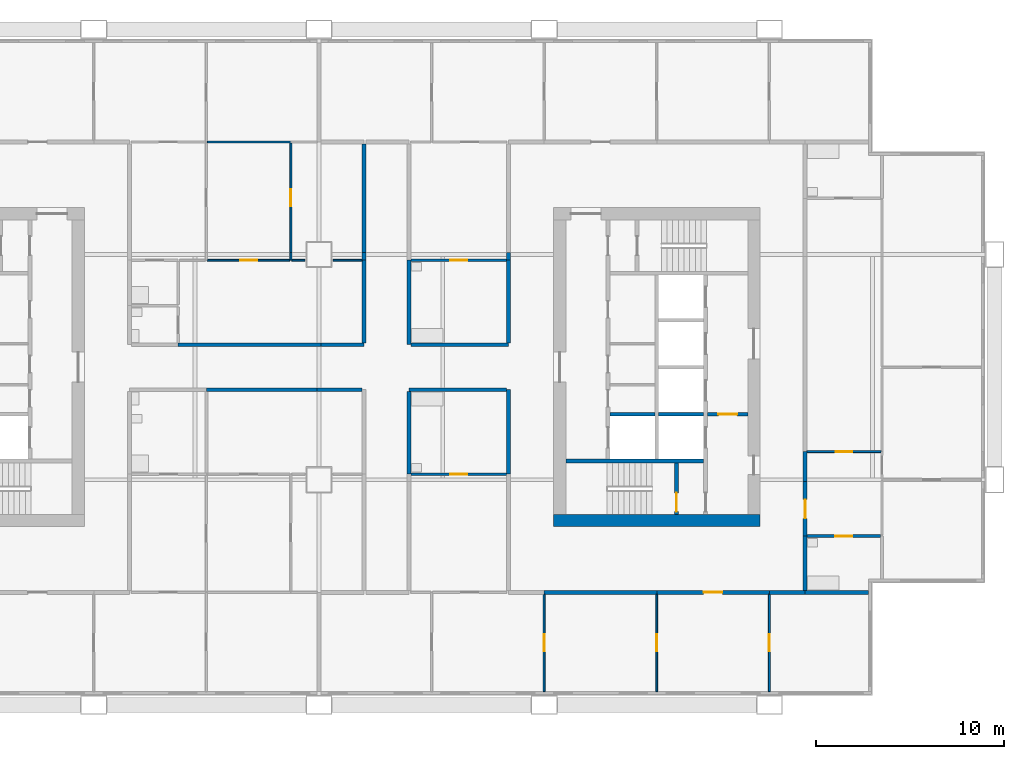
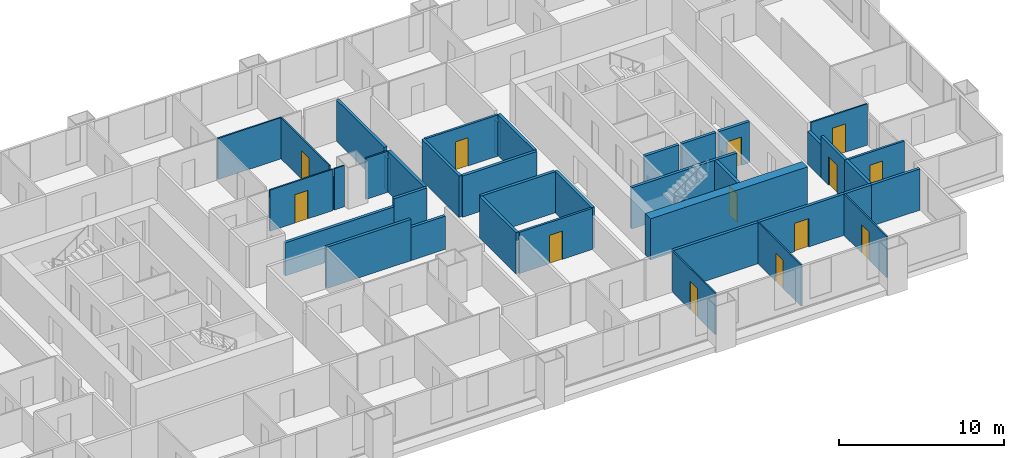
# One storey, part 6 of 12: 40 walls, 13 doors, 13 openings.
"""IFC4 building model written with IfcOpenShell, lengths in metres."""

from ifc_helpers import new_model, si_unit, direction, frame, frame_2d, origin, place, context, subcontext, project, spatial, rectangle, extrude, material, layer, layer_set, type_object, element, fill, save


model = new_model("IFC4")

# Units and contexts
model_context = context("Model", 3, precision=1e-05, world=origin(), true_north=direction((0.0, 1.0)))
body_context = subcontext(model_context, "Body", "Model", "MODEL_VIEW")
ifc_project = project(units=[si_unit("LENGTHUNIT", "METRE"), si_unit("AREAUNIT", "SQUARE_METRE"), si_unit("VOLUMEUNIT", "CUBIC_METRE"), si_unit("PLANEANGLEUNIT", "RADIAN"), si_unit("MASSUNIT", "GRAM", prefix="KILO")], contexts=[model_context])

# Site, building, storey
site_placement = place(None, origin())
site = spatial("IfcSite", under=ifc_project, at=site_placement, CompositionType="ELEMENT")
building_placement = place(site_placement, origin())
building = spatial("IfcBuilding", under=site, at=building_placement, Name="Kitamizu Gate Tower and Museum", CompositionType="ELEMENT")
storey_placement = place(building_placement, frame((0.0, 0.0, 134.550048828125)))
storey = spatial("IfcBuildingStorey", under=building, at=storey_placement, Name="L35", CompositionType="ELEMENT", Elevation=134.550048828125)

# Wall
ifc_material_1 = material(Name="Concrete Fc60", Category="concrete")
ifc_layer_1 = layer(ifc_material_1, 0.64990234375)
ifc_layer_set_1 = layer_set([ifc_layer_1], Name="Concrete Fc60")
wall_type_1 = type_object("IfcWallType", Name="Core wall 650", PredefinedType="SHEAR", material=ifc_layer_set_1)
wall_1_placement = place(storey_placement, frame((59.5, 21.824951171875, 0.0), z_axis=(0.0, 0.0, 1.0), x_axis=(-1.0, 0.0, 0.0)))
element("IfcWall", 1, at=wall_1_placement, inside=storey, type_object=wall_type_1, Name="Core wall ES", PredefinedType="SHEAR", context=body_context, shape_type="SweptSolid", body=[
    extrude(rectangle(XDim=11.0, YDim=0.64990234375, at=frame_2d((5.5, 0.0))), origin(), (0.0, 0.0, 1.0), 3.050048828125),
])

# Wall, opening, door
ifc_material_2 = material(Name="Gypsum board on galvanised stud")
ifc_layer_2 = layer(ifc_material_2, 0.10009765625)
ifc_layer_set_2 = layer_set([ifc_layer_2], Name="Gypsum board on galvanised stud")
wall_type_2 = type_object("IfcWallType", Name="Partition 100 NOT RATED", PredefinedType="PARTITIONING", material=ifc_layer_set_2)
wall_2_placement = place(storey_placement, frame((48.0, 12.719970703125, 0.0), z_axis=(0.0, 0.0, 1.0), x_axis=(0.0, 1.0, 0.0)))
wall_2 = element("IfcWall", 2, at=wall_2_placement, inside=storey, type_object=wall_type_2, Name="Partition L35-033", PredefinedType="PARTITIONING", context=body_context, shape_type="SweptSolid", body=[
    extrude(rectangle(XDim=5.179931640625, YDim=0.10009765625, at=frame_2d((2.58984375, 0.0))), origin(), (0.0, 0.0, 1.0), 3.050048828125),
])
opening_1_placement = place(wall_2_placement, frame((2.139892578125, 0.0, 0.0)))
opening_1 = element("IfcOpeningElement", 3, at=opening_1_placement, cuts=wall_2, Name="Opening L35-014", PredefinedType="OPENING", context=body_context, shape_type="SweptSolid", body=[
    extrude(rectangle(XDim=0.89990234375, YDim=2.10009765625, at=frame_2d((0.449951171875, 1.050048828125))), frame((0.0, 0.06005859375, 0.0), z_axis=(0.0, -1.0, 0.0), x_axis=(1.0, 0.0, 0.0)), (0.0, 0.0, 1.0), 0.1201171875),
])
ifc_material_3 = material(Name="Timber door set", Category="wood")
door_type_1 = type_object("IfcDoorType", Name="Room door 900", OperationType="NOTDEFINED", PredefinedType="DOOR", material=ifc_material_3)
door_1_placement = place(opening_1_placement, origin())
door_1 = element("IfcDoor", 4, at=door_1_placement, inside=storey, type_object=door_type_1, Name="Door L35-014", OperationType="SINGLE_SWING_LEFT", OverallHeight=2.10009765625, OverallWidth=0.89990234375, PredefinedType="DOOR", context=body_context, shape_type="SweptSolid", body=[
    extrude(rectangle(XDim=0.89990234375, YDim=2.10009765625, at=frame_2d((0.449951171875, 1.050048828125))), frame((0.0, 0.02490234375, 0.0), z_axis=(0.0, -1.0, 0.0), x_axis=(1.0, 0.0, 0.0)), (0.0, 0.0, 1.0), 0.050048828125),
])
fill(opening_1, door_1)

wall_3_placement = place(storey_placement, frame((54.0, 12.719970703125, 0.0), z_axis=(0.0, 0.0, 1.0), x_axis=(0.0, 1.0, 0.0)))
wall_3 = element("IfcWall", 5, at=wall_3_placement, inside=storey, type_object=wall_type_2, Name="Partition L35-036", PredefinedType="PARTITIONING", context=body_context, shape_type="SweptSolid", body=[
    extrude(rectangle(XDim=5.179931640625, YDim=0.10009765625, at=frame_2d((2.58984375, 0.0))), origin(), (0.0, 0.0, 1.0), 3.050048828125),
])
opening_2_placement = place(wall_3_placement, frame((2.139892578125, 0.0, 0.0)))
opening_2 = element("IfcOpeningElement", 6, at=opening_2_placement, cuts=wall_3, Name="Opening L35-012", PredefinedType="OPENING", context=body_context, shape_type="SweptSolid", body=[
    extrude(rectangle(XDim=0.89990234375, YDim=2.10009765625, at=frame_2d((0.449951171875, 1.050048828125))), frame((0.0, 0.06005859375, 0.0), z_axis=(0.0, -1.0, 0.0), x_axis=(1.0, 0.0, 0.0)), (0.0, 0.0, 1.0), 0.1201171875),
])
door_2_placement = place(opening_2_placement, origin())
door_2 = element("IfcDoor", 7, at=door_2_placement, inside=storey, type_object=door_type_1, Name="Door L35-012", OperationType="SINGLE_SWING_LEFT", OverallHeight=2.10009765625, OverallWidth=0.89990234375, PredefinedType="DOOR", context=body_context, shape_type="SweptSolid", body=[
    extrude(rectangle(XDim=0.89990234375, YDim=2.10009765625, at=frame_2d((0.449951171875, 1.050048828125))), frame((0.0, 0.02490234375, 0.0), z_axis=(0.0, -1.0, 0.0), x_axis=(1.0, 0.0, 0.0)), (0.0, 0.0, 1.0), 0.050048828125),
])
fill(opening_2, door_2)

wall_4_placement = place(storey_placement, frame((60.0, 12.719970703125, 0.0), z_axis=(0.0, 0.0, 1.0), x_axis=(0.0, 1.0, 0.0)))
wall_4 = element("IfcWall", 8, at=wall_4_placement, inside=storey, type_object=wall_type_2, Name="Partition L35-038", PredefinedType="PARTITIONING", context=body_context, shape_type="SweptSolid", body=[
    extrude(rectangle(XDim=5.179931640625, YDim=0.10009765625, at=frame_2d((2.58984375, 0.0))), origin(), (0.0, 0.0, 1.0), 3.050048828125),
])
opening_3_placement = place(wall_4_placement, frame((2.139892578125, 0.0, 0.0)))
opening_3 = element("IfcOpeningElement", 9, at=opening_3_placement, cuts=wall_4, Name="Opening L35-013", PredefinedType="OPENING", context=body_context, shape_type="SweptSolid", body=[
    extrude(rectangle(XDim=0.89990234375, YDim=2.10009765625, at=frame_2d((0.449951171875, 1.050048828125))), frame((0.0, 0.06005859375, 0.0), z_axis=(0.0, -1.0, 0.0), x_axis=(1.0, 0.0, 0.0)), (0.0, 0.0, 1.0), 0.1201171875),
])
door_3_placement = place(opening_3_placement, frame((0.89990234375, 0.0, 0.0), x_axis=(-1.0, 0.0, 0.0)))
door_3 = element("IfcDoor", 10, at=door_3_placement, inside=storey, type_object=door_type_1, Name="Door L35-013", OperationType="SINGLE_SWING_LEFT", OverallHeight=2.10009765625, OverallWidth=0.89990234375, PredefinedType="DOOR", context=body_context, shape_type="SweptSolid", body=[
    extrude(rectangle(XDim=0.89990234375, YDim=2.10009765625, at=frame_2d((0.449951171875, 1.050048828125))), frame((0.0, 0.02490234375, 0.0), z_axis=(0.0, -1.0, 0.0), x_axis=(1.0, 0.0, 0.0)), (0.0, 0.0, 1.0), 0.050048828125),
])
fill(opening_3, door_3)

# Walls
wall_5_placement = place(storey_placement, frame((30.050048828125, 42.0, 0.0), z_axis=(0.0, 0.0, 1.0), x_axis=(1.0, 0.0, 0.0)))
element("IfcWall", 11, at=wall_5_placement, inside=storey, type_object=wall_type_2, Name="Partition L35-060", PredefinedType="PARTITIONING", context=body_context, shape_type="SweptSolid", body=[
    extrude(rectangle(XDim=4.449951171875, YDim=0.10009765625, at=frame_2d((2.22509765625, 0.0))), origin(), (0.0, 0.0, 1.0), 3.050048828125),
])
wall_6_placement = place(storey_placement, frame((34.5, 35.699951171875, 0.0), z_axis=(0.0, 0.0, 1.0), x_axis=(0.0, 1.0, 0.0)))
element("IfcWall", 12, at=wall_6_placement, inside=storey, type_object=wall_type_2, Name="Partition L35-068", PredefinedType="PARTITIONING", context=body_context, shape_type="SweptSolid", body=[
    extrude(rectangle(XDim=0.400146484375, YDim=0.10009765625, at=frame_2d((0.2001953125, 0.0))), origin(), (0.0, 0.0, 1.0), 2.449951171875),
])

# Wall, opening, door
wall_7_placement = place(storey_placement, frame((34.5, 36.10009765625, 0.0), z_axis=(0.0, 0.0, 1.0), x_axis=(0.0, 1.0, 0.0)))
wall_7 = element("IfcWall", 13, at=wall_7_placement, inside=storey, type_object=wall_type_2, Name="Partition L35-069", PredefinedType="PARTITIONING", context=body_context, shape_type="SweptSolid", body=[
    extrude(rectangle(XDim=5.849853515625, YDim=0.10009765625, at=frame_2d((2.9248046875, 0.0))), origin(), (0.0, 0.0, 1.0), 3.050048828125),
])
opening_4_placement = place(wall_7_placement, frame((2.47509765625, 0.0, 0.0)))
opening_4 = element("IfcOpeningElement", 14, at=opening_4_placement, cuts=wall_7, Name="Opening L35-025", PredefinedType="OPENING", context=body_context, shape_type="SweptSolid", body=[
    extrude(rectangle(XDim=0.89990234375, YDim=2.10009765625, at=frame_2d((0.449951171875, 1.050048828125))), frame((0.0, 0.06005859375, 0.0), z_axis=(0.0, -1.0, 0.0), x_axis=(1.0, 0.0, 0.0)), (0.0, 0.0, 1.0), 0.1201171875),
])
door_4_placement = place(opening_4_placement, frame((0.89990234375, 0.0, 0.0), x_axis=(-1.0, 0.0, 0.0)))
door_4 = element("IfcDoor", 15, at=door_4_placement, inside=storey, type_object=door_type_1, Name="Door L35-025", OperationType="SINGLE_SWING_LEFT", OverallHeight=2.10009765625, OverallWidth=0.89990234375, PredefinedType="DOOR", context=body_context, shape_type="SweptSolid", body=[
    extrude(rectangle(XDim=0.89990234375, YDim=2.10009765625, at=frame_2d((0.449951171875, 1.050048828125))), frame((0.0, 0.02490234375, 0.0), z_axis=(0.0, -1.0, 0.0), x_axis=(1.0, 0.0, 0.0)), (0.0, 0.0, 1.0), 0.050048828125),
])
fill(opening_4, door_4)

wall_8_placement = place(storey_placement, frame((30.050048828125, 35.699951171875, 0.0), z_axis=(0.0, 0.0, 1.0), x_axis=(1.0, 0.0, 0.0)))
wall_8 = element("IfcWall", 16, at=wall_8_placement, inside=storey, type_object=wall_type_2, Name="Partition L35-070", PredefinedType="PARTITIONING", context=body_context, shape_type="SweptSolid", body=[
    extrude(rectangle(XDim=4.39990234375, YDim=0.10009765625, at=frame_2d((2.199951171875, 0.0))), origin(), (0.0, 0.0, 1.0), 3.050048828125),
])
opening_5_placement = place(wall_8_placement, frame((1.75, 0.0, 0.0)))
opening_5 = element("IfcOpeningElement", 17, at=opening_5_placement, cuts=wall_8, Name="Opening L35-027", PredefinedType="OPENING", context=body_context, shape_type="SweptSolid", body=[
    extrude(rectangle(XDim=0.89990234375, YDim=2.10009765625, at=frame_2d((0.449951171875, 1.050048828125))), frame((0.0, 0.06005859375, 0.0), z_axis=(0.0, -1.0, 0.0), x_axis=(1.0, 0.0, 0.0)), (0.0, 0.0, 1.0), 0.1201171875),
])
door_5_placement = place(opening_5_placement, origin())
door_5 = element("IfcDoor", 18, at=door_5_placement, inside=storey, type_object=door_type_1, Name="Door L35-027", OperationType="SINGLE_SWING_RIGHT", OverallHeight=2.10009765625, OverallWidth=0.89990234375, PredefinedType="DOOR", context=body_context, shape_type="SweptSolid", body=[
    extrude(rectangle(XDim=0.89990234375, YDim=2.10009765625, at=frame_2d((0.449951171875, 1.050048828125))), frame((0.0, 0.02490234375, 0.0), z_axis=(0.0, -1.0, 0.0), x_axis=(1.0, 0.0, 0.0)), (0.0, 0.0, 1.0), 0.050048828125),
])
fill(opening_5, door_5)

# Walls
wall_9_placement = place(storey_placement, frame((34.550048828125, 35.699951171875, 0.0), z_axis=(0.0, 0.0, 1.0), x_axis=(1.0, 0.0, 0.0)))
element("IfcWall", 19, at=wall_9_placement, inside=storey, type_object=wall_type_2, Name="Partition L35-071", PredefinedType="PARTITIONING", context=body_context, shape_type="SweptSolid", body=[
    extrude(rectangle(XDim=0.699951171875, YDim=0.10009765625, at=frame_2d((0.35009765625, 0.0))), origin(), (0.0, 0.0, 1.0), 3.050048828125),
])
wall_10_placement = place(storey_placement, frame((36.75, 35.699951171875, 0.0), z_axis=(0.0, 0.0, 1.0), x_axis=(1.0, 0.0, 0.0)))
element("IfcWall", 20, at=wall_10_placement, inside=storey, type_object=wall_type_2, Name="Partition L35-072", PredefinedType="PARTITIONING", context=body_context, shape_type="SweptSolid", body=[
    extrude(rectangle(XDim=1.550048828125, YDim=0.10009765625, at=frame_2d((0.77490234375, 0.0))), origin(), (0.0, 0.0, 1.0), 3.050048828125),
])

# Wall, opening, door
wall_11_placement = place(storey_placement, frame((65.949951171875, 25.5, 0.0), z_axis=(0.0, 0.0, 1.0), x_axis=(-1.0, 0.0, 0.0)))
wall_11 = element("IfcWall", 21, at=wall_11_placement, inside=storey, type_object=wall_type_2, Name="Partition L35-136", PredefinedType="PARTITIONING", context=body_context, shape_type="SweptSolid", body=[
    extrude(rectangle(XDim=3.949951171875, YDim=0.10009765625, at=frame_2d((1.97509765625, 0.0))), origin(), (0.0, 0.0, 1.0), 3.050048828125),
])
opening_6_placement = place(wall_11_placement, frame((1.52490234375, 0.0, 0.0)))
opening_6 = element("IfcOpeningElement", 22, at=opening_6_placement, cuts=wall_11, Name="Opening L35-047", PredefinedType="OPENING", context=body_context, shape_type="SweptSolid", body=[
    extrude(rectangle(XDim=0.89990234375, YDim=2.10009765625, at=frame_2d((0.449951171875, 1.050048828125))), frame((0.0, 0.06005859375, 0.0), z_axis=(0.0, -1.0, 0.0), x_axis=(1.0, 0.0, 0.0)), (0.0, 0.0, 1.0), 0.1201171875),
])
door_6_placement = place(opening_6_placement, origin())
door_6 = element("IfcDoor", 23, at=door_6_placement, inside=storey, type_object=door_type_1, Name="Door L35-047", OperationType="SINGLE_SWING_LEFT", OverallHeight=2.10009765625, OverallWidth=0.89990234375, PredefinedType="DOOR", context=body_context, shape_type="SweptSolid", body=[
    extrude(rectangle(XDim=0.89990234375, YDim=2.10009765625, at=frame_2d((0.449951171875, 1.050048828125))), frame((0.0, 0.02490234375, 0.0), z_axis=(0.0, -1.0, 0.0), x_axis=(1.0, 0.0, 0.0)), (0.0, 0.0, 1.0), 0.050048828125),
])
fill(opening_6, door_6)

ifc_material_4 = material(Name="Gypsum board on galvanised stud")
ifc_layer_3 = layer(ifc_material_4, 0.14990234375)
ifc_layer_set_3 = layer_set([ifc_layer_3], Name="Gypsum board on galvanised stud")
wall_type_3 = type_object("IfcWallType", Name="Partition 150", PredefinedType="PARTITIONING", material=ifc_layer_set_3)
wall_12_placement = place(storey_placement, frame((46.0, 24.300048828125, 0.0), z_axis=(0.0, 0.0, 1.0), x_axis=(-1.0, 0.0, 0.0)))
wall_12 = element("IfcWall", 24, at=wall_12_placement, inside=storey, type_object=wall_type_3, Name="Partition L35-042", PredefinedType="PARTITIONING", context=body_context, shape_type="SweptSolid", body=[
    extrude(rectangle(XDim=5.10009765625, YDim=0.14990234375, at=frame_2d((2.550048828125, 0.0))), origin(), (0.0, 0.0, 1.0), 3.050048828125),
])
opening_7_placement = place(wall_12_placement, frame((2.10009765625, 0.0, 0.0)))
opening_7 = element("IfcOpeningElement", 25, at=opening_7_placement, cuts=wall_12, Name="Opening L35-016", PredefinedType="OPENING", context=body_context, shape_type="SweptSolid", body=[
    extrude(rectangle(XDim=0.89990234375, YDim=2.10009765625, at=frame_2d((0.449951171875, 1.050048828125))), frame((0.0, 0.0849609375, 0.0), z_axis=(0.0, -1.0, 0.0), x_axis=(1.0, 0.0, 0.0)), (0.0, 0.0, 1.0), 0.169921875),
])
ifc_material_5 = material(Name="Timber door set", Category="wood")
door_type_2 = type_object("IfcDoorType", Name="Bathroom door 900", OperationType="NOTDEFINED", PredefinedType="DOOR", material=ifc_material_5)
door_7_placement = place(opening_7_placement, frame((0.89990234375, 0.0, 0.0), x_axis=(-1.0, 0.0, 0.0)))
door_7 = element("IfcDoor", 26, at=door_7_placement, inside=storey, type_object=door_type_2, Name="Bathroom door L35-016", OperationType="SINGLE_SWING_RIGHT", OverallHeight=2.10009765625, OverallWidth=0.89990234375, PredefinedType="DOOR", context=body_context, shape_type="SweptSolid", body=[
    extrude(rectangle(XDim=0.89990234375, YDim=2.10009765625, at=frame_2d((0.449951171875, 1.050048828125))), frame((0.0, 0.02490234375, 0.0), z_axis=(0.0, -1.0, 0.0), x_axis=(1.0, 0.0, 0.0)), (0.0, 0.0, 1.0), 0.050048828125),
])
fill(opening_7, door_7)

wall_13_placement = place(storey_placement, frame((40.89990234375, 35.699951171875, 0.0), z_axis=(0.0, 0.0, 1.0), x_axis=(1.0, 0.0, 0.0)))
wall_13 = element("IfcWall", 27, at=wall_13_placement, inside=storey, type_object=wall_type_3, Name="Partition L35-118", PredefinedType="PARTITIONING", context=body_context, shape_type="SweptSolid", body=[
    extrude(rectangle(XDim=5.10009765625, YDim=0.14990234375, at=frame_2d((2.550048828125, 0.0))), origin(), (0.0, 0.0, 1.0), 3.050048828125),
])
opening_8_placement = place(wall_13_placement, frame((2.10009765625, 0.0, 0.0)))
opening_8 = element("IfcOpeningElement", 28, at=opening_8_placement, cuts=wall_13, Name="Opening L35-044", PredefinedType="OPENING", context=body_context, shape_type="SweptSolid", body=[
    extrude(rectangle(XDim=0.89990234375, YDim=2.10009765625, at=frame_2d((0.449951171875, 1.050048828125))), frame((0.0, 0.0849609375, 0.0), z_axis=(0.0, -1.0, 0.0), x_axis=(1.0, 0.0, 0.0)), (0.0, 0.0, 1.0), 0.169921875),
])
door_8_placement = place(opening_8_placement, frame((0.89990234375, 0.0, 0.0), x_axis=(-1.0, 0.0, 0.0)))
door_8 = element("IfcDoor", 29, at=door_8_placement, inside=storey, type_object=door_type_2, Name="Bathroom door L35-044", OperationType="SINGLE_SWING_LEFT", OverallHeight=2.10009765625, OverallWidth=0.89990234375, PredefinedType="DOOR", context=body_context, shape_type="SweptSolid", body=[
    extrude(rectangle(XDim=0.89990234375, YDim=2.10009765625, at=frame_2d((0.449951171875, 1.050048828125))), frame((0.0, 0.02490234375, 0.0), z_axis=(0.0, -1.0, 0.0), x_axis=(1.0, 0.0, 0.0)), (0.0, 0.0, 1.0), 0.050048828125),
])
fill(opening_8, door_8)

wall_14_placement = place(storey_placement, frame((65.925048828125, 21.0, 0.0), z_axis=(0.0, 0.0, 1.0), x_axis=(-1.0, 0.0, 0.0)))
wall_14 = element("IfcWall", 30, at=wall_14_placement, inside=storey, type_object=wall_type_3, Name="Partition L35-134", PredefinedType="PARTITIONING", context=body_context, shape_type="SweptSolid", body=[
    extrude(rectangle(XDim=3.925048828125, YDim=0.14990234375, at=frame_2d((1.96240234375, 0.0))), origin(), (0.0, 0.0, 1.0), 3.050048828125),
])
opening_9_placement = place(wall_14_placement, frame((1.512451171875, 0.0, 0.0)))
opening_9 = element("IfcOpeningElement", 31, at=opening_9_placement, cuts=wall_14, Name="Opening L35-050", PredefinedType="OPENING", context=body_context, shape_type="SweptSolid", body=[
    extrude(rectangle(XDim=0.89990234375, YDim=2.10009765625, at=frame_2d((0.449951171875, 1.050048828125))), frame((0.0, 0.0849609375, 0.0), z_axis=(0.0, -1.0, 0.0), x_axis=(1.0, 0.0, 0.0)), (0.0, 0.0, 1.0), 0.169921875),
])
door_9_placement = place(opening_9_placement, origin())
door_9 = element("IfcDoor", 32, at=door_9_placement, inside=storey, type_object=door_type_2, Name="Bathroom door L35-050", OperationType="SINGLE_SWING_RIGHT", OverallHeight=2.10009765625, OverallWidth=0.89990234375, PredefinedType="DOOR", context=body_context, shape_type="SweptSolid", body=[
    extrude(rectangle(XDim=0.89990234375, YDim=2.10009765625, at=frame_2d((0.449951171875, 1.050048828125))), frame((0.0, 0.02490234375, 0.0), z_axis=(0.0, -1.0, 0.0), x_axis=(1.0, 0.0, 0.0)), (0.0, 0.0, 1.0), 0.050048828125),
])
fill(opening_9, door_9)

# Walls
ifc_material_6 = material(Name="Gypsum board on galvanised stud")
ifc_layer_4 = layer(ifc_material_6, 0.199951171875)
ifc_layer_set_4 = layer_set([ifc_layer_4], Name="Gypsum board on galvanised stud")
wall_type_4 = type_object("IfcWallType", Name="Partition 200", PredefinedType="PARTITIONING", material=ifc_layer_set_4)
wall_15_placement = place(storey_placement, frame((38.300048828125, 28.800048828125, 0.0), z_axis=(0.0, 0.0, 1.0), x_axis=(-1.0, 0.0, 0.0)))
element("IfcWall", 33, at=wall_15_placement, inside=storey, type_object=wall_type_4, Name="Partition L35-028", PredefinedType="PARTITIONING", context=body_context, shape_type="SweptSolid", body=[
    extrude(rectangle(XDim=2.400146484375, YDim=0.199951171875, at=frame_2d((1.2001953125, 0.0))), origin(), (0.0, 0.0, 1.0), 2.449951171875),
])
wall_16_placement = place(storey_placement, frame((35.89990234375, 28.800048828125, 0.0), z_axis=(0.0, 0.0, 1.0), x_axis=(-1.0, 0.0, 0.0)))
element("IfcWall", 34, at=wall_16_placement, inside=storey, type_object=wall_type_4, Name="Partition L35-029", PredefinedType="PARTITIONING", context=body_context, shape_type="SweptSolid", body=[
    extrude(rectangle(XDim=5.89990234375, YDim=0.199951171875, at=frame_2d((2.949951171875, 0.0))), origin(), (0.0, 0.0, 1.0), 3.050048828125),
])
wall_17_placement = place(storey_placement, frame((54.0, 18.0, 0.0), z_axis=(0.0, 0.0, 1.0), x_axis=(-1.0, 0.0, 0.0)))
element("IfcWall", 35, at=wall_17_placement, inside=storey, type_object=wall_type_4, Name="Partition L35-037", PredefinedType="PARTITIONING", context=body_context, shape_type="SweptSolid", body=[
    extrude(rectangle(XDim=6.0, YDim=0.199951171875, at=frame_2d((3.0, 0.0))), origin(), (0.0, 0.0, 1.0), 3.050048828125),
])

# Wall, opening, door
wall_18_placement = place(storey_placement, frame((60.0, 18.0, 0.0), z_axis=(0.0, 0.0, 1.0), x_axis=(-1.0, 0.0, 0.0)))
wall_18 = element("IfcWall", 36, at=wall_18_placement, inside=storey, type_object=wall_type_4, Name="Partition L35-039", PredefinedType="PARTITIONING", context=body_context, shape_type="SweptSolid", body=[
    extrude(rectangle(XDim=6.0, YDim=0.199951171875, at=frame_2d((3.0, 0.0))), origin(), (0.0, 0.0, 1.0), 3.050048828125),
])
opening_10_placement = place(wall_18_placement, frame((2.5, 0.0, 0.0)))
opening_10 = element("IfcOpeningElement", 37, at=opening_10_placement, cuts=wall_18, Name="Opening L35-011", PredefinedType="OPENING", context=body_context, shape_type="SweptSolid", body=[
    extrude(rectangle(XDim=1.0, YDim=2.10009765625, at=frame_2d((0.5, 1.050048828125))), frame((0.0, 0.10986328125, 0.0), z_axis=(0.0, -1.0, 0.0), x_axis=(1.0, 0.0, 0.0)), (0.0, 0.0, 1.0), 0.219970703125),
])
ifc_material_7 = material(Name="Timber door set", Category="wood")
door_type_3 = type_object("IfcDoorType", Name="Flat entrance door 1000", OperationType="NOTDEFINED", PredefinedType="DOOR", material=ifc_material_7)
door_10_placement = place(opening_10_placement, origin())
door_10 = element("IfcDoor", 38, at=door_10_placement, inside=storey, type_object=door_type_3, Name="Flat entrance door L35-011", OperationType="SINGLE_SWING_RIGHT", OverallHeight=2.10009765625, OverallWidth=1.0, PredefinedType="DOOR", context=body_context, shape_type="SweptSolid", body=[
    extrude(rectangle(XDim=1.0, YDim=2.10009765625, at=frame_2d((0.5, 1.050048828125))), frame((0.0, 0.02490234375, 0.0), z_axis=(0.0, -1.0, 0.0), x_axis=(1.0, 0.0, 0.0)), (0.0, 0.0, 1.0), 0.050048828125),
])
fill(opening_10, door_10)

# Walls
wall_19_placement = place(storey_placement, frame((65.280029296875, 18.0, 0.0), z_axis=(0.0, 0.0, 1.0), x_axis=(-1.0, 0.0, 0.0)))
element("IfcWall", 39, at=wall_19_placement, inside=storey, type_object=wall_type_4, Name="Partition L35-040", PredefinedType="PARTITIONING", context=body_context, shape_type="SweptSolid", body=[
    extrude(rectangle(XDim=3.380126953125, YDim=0.199951171875, at=frame_2d((1.68994140625, 0.0))), origin(), (0.0, 0.0, 1.0), 3.050048828125),
])
wall_20_placement = place(storey_placement, frame((61.89990234375, 18.0, 0.0), z_axis=(0.0, 0.0, 1.0), x_axis=(-1.0, 0.0, 0.0)))
element("IfcWall", 40, at=wall_20_placement, inside=storey, type_object=wall_type_4, Name="Partition L35-041", PredefinedType="PARTITIONING", context=body_context, shape_type="SweptSolid", body=[
    extrude(rectangle(XDim=1.89990234375, YDim=0.199951171875, at=frame_2d((0.949951171875, 0.0))), origin(), (0.0, 0.0, 1.0), 3.050048828125),
])
wall_21_placement = place(storey_placement, frame((46.10009765625, 24.300048828125, 0.0), z_axis=(0.0, 0.0, 1.0), x_axis=(0.0, 1.0, 0.0)))
element("IfcWall", 41, at=wall_21_placement, inside=storey, type_object=wall_type_4, Name="Partition L35-046", PredefinedType="PARTITIONING", context=body_context, shape_type="SweptSolid", body=[
    extrude(rectangle(XDim=4.5, YDim=0.199951171875, at=frame_2d((2.25, 0.0))), origin(), (0.0, 0.0, 1.0), 3.050048828125),
])
wall_22_placement = place(storey_placement, frame((46.0, 28.800048828125, 0.0), z_axis=(0.0, 0.0, 1.0), x_axis=(-1.0, 0.0, 0.0)))
element("IfcWall", 42, at=wall_22_placement, inside=storey, type_object=wall_type_4, Name="Partition L35-047", PredefinedType="PARTITIONING", context=body_context, shape_type="SweptSolid", body=[
    extrude(rectangle(XDim=5.199951171875, YDim=0.199951171875, at=frame_2d((2.60009765625, 0.0))), origin(), (0.0, 0.0, 1.0), 3.050048828125),
])
wall_23_placement = place(storey_placement, frame((40.800048828125, 28.699951171875, 0.0), z_axis=(0.0, 0.0, 1.0), x_axis=(0.0, -1.0, 0.0)))
element("IfcWall", 43, at=wall_23_placement, inside=storey, type_object=wall_type_4, Name="Partition L35-048", PredefinedType="PARTITIONING", context=body_context, shape_type="SweptSolid", body=[
    extrude(rectangle(XDim=4.39990234375, YDim=0.199951171875, at=frame_2d((2.199951171875, 0.0))), origin(), (0.0, 0.0, 1.0), 3.050048828125),
])
wall_24_placement = place(storey_placement, frame((38.39990234375, 35.699951171875, 0.0), z_axis=(0.0, 0.0, 1.0), x_axis=(0.0, 1.0, 0.0)))
element("IfcWall", 44, at=wall_24_placement, inside=storey, type_object=wall_type_4, Name="Partition L35-074", PredefinedType="PARTITIONING", context=body_context, shape_type="SweptSolid", body=[
    extrude(rectangle(XDim=0.400146484375, YDim=0.199951171875, at=frame_2d((0.2001953125, 0.0))), origin(), (0.0, 0.0, 1.0), 2.449951171875),
])
wall_25_placement = place(storey_placement, frame((38.39990234375, 36.10009765625, 0.0), z_axis=(0.0, 0.0, 1.0), x_axis=(0.0, 1.0, 0.0)))
element("IfcWall", 45, at=wall_25_placement, inside=storey, type_object=wall_type_4, Name="Partition L35-075", PredefinedType="PARTITIONING", context=body_context, shape_type="SweptSolid", body=[
    extrude(rectangle(XDim=5.7998046875, YDim=0.199951171875, at=frame_2d((2.89990234375, 0.0))), origin(), (0.0, 0.0, 1.0), 3.050048828125),
])
wall_26_placement = place(storey_placement, frame((28.5, 31.199951171875, 0.0), z_axis=(0.0, 0.0, 1.0), x_axis=(1.0, 0.0, 0.0)))
element("IfcWall", 46, at=wall_26_placement, inside=storey, type_object=wall_type_4, Name="Partition L35-082", PredefinedType="PARTITIONING", context=body_context, shape_type="SweptSolid", body=[
    extrude(rectangle(XDim=7.60009765625, YDim=0.199951171875, at=frame_2d((3.800048828125, 0.0))), origin(), (0.0, 0.0, 1.0), 2.449951171875),
])
wall_27_placement = place(storey_placement, frame((36.10009765625, 31.199951171875, 0.0), z_axis=(0.0, 0.0, 1.0), x_axis=(1.0, 0.0, 0.0)))
element("IfcWall", 47, at=wall_27_placement, inside=storey, type_object=wall_type_4, Name="Partition L35-083", PredefinedType="PARTITIONING", context=body_context, shape_type="SweptSolid", body=[
    extrude(rectangle(XDim=2.2998046875, YDim=0.199951171875, at=frame_2d((1.14990234375, 0.0))), origin(), (0.0, 0.0, 1.0), 3.050048828125),
])
wall_28_placement = place(storey_placement, frame((38.39990234375, 31.300048828125, 0.0), z_axis=(0.0, 0.0, 1.0), x_axis=(0.0, 1.0, 0.0)))
element("IfcWall", 48, at=wall_28_placement, inside=storey, type_object=wall_type_4, Name="Partition L35-084", PredefinedType="PARTITIONING", context=body_context, shape_type="SweptSolid", body=[
    extrude(rectangle(XDim=4.39990234375, YDim=0.199951171875, at=frame_2d((2.199951171875, 0.0))), origin(), (0.0, 0.0, 1.0), 3.050048828125),
])
wall_29_placement = place(storey_placement, frame((46.10009765625, 35.699951171875, 0.0), z_axis=(0.0, 0.0, 1.0), x_axis=(0.0, 1.0, 0.0)))
element("IfcWall", 49, at=wall_29_placement, inside=storey, type_object=wall_type_4, Name="Partition L35-120", PredefinedType="PARTITIONING", context=body_context, shape_type="SweptSolid", body=[
    extrude(rectangle(XDim=0.400146484375, YDim=0.199951171875, at=frame_2d((0.2001953125, 0.0))), origin(), (0.0, 0.0, 1.0), 2.449951171875),
])
wall_30_placement = place(storey_placement, frame((40.800048828125, 35.699951171875, 0.0), z_axis=(0.0, 0.0, 1.0), x_axis=(0.0, -1.0, 0.0)))
element("IfcWall", 50, at=wall_30_placement, inside=storey, type_object=wall_type_4, Name="Partition L35-122", PredefinedType="PARTITIONING", context=body_context, shape_type="SweptSolid", body=[
    extrude(rectangle(XDim=4.5, YDim=0.199951171875, at=frame_2d((2.25, 0.0))), origin(), (0.0, 0.0, 1.0), 3.050048828125),
])
wall_31_placement = place(storey_placement, frame((40.89990234375, 31.199951171875, 0.0), z_axis=(0.0, 0.0, 1.0), x_axis=(1.0, 0.0, 0.0)))
element("IfcWall", 51, at=wall_31_placement, inside=storey, type_object=wall_type_4, Name="Partition L35-123", PredefinedType="PARTITIONING", context=body_context, shape_type="SweptSolid", body=[
    extrude(rectangle(XDim=5.2001953125, YDim=0.199951171875, at=frame_2d((2.60009765625, 0.0))), origin(), (0.0, 0.0, 1.0), 3.050048828125),
])
wall_32_placement = place(storey_placement, frame((46.10009765625, 31.300048828125, 0.0), z_axis=(0.0, 0.0, 1.0), x_axis=(0.0, 1.0, 0.0)))
element("IfcWall", 52, at=wall_32_placement, inside=storey, type_object=wall_type_4, Name="Partition L35-124", PredefinedType="PARTITIONING", context=body_context, shape_type="SweptSolid", body=[
    extrude(rectangle(XDim=4.39990234375, YDim=0.199951171875, at=frame_2d((2.199951171875, 0.0))), origin(), (0.0, 0.0, 1.0), 3.050048828125),
])
wall_33_placement = place(storey_placement, frame((61.89990234375, 21.0, 0.0), z_axis=(0.0, 0.0, 1.0), x_axis=(0.0, -1.0, 0.0)))
element("IfcWall", 53, at=wall_33_placement, inside=storey, type_object=wall_type_4, Name="Partition L35-135", PredefinedType="PARTITIONING", context=body_context, shape_type="SweptSolid", body=[
    extrude(rectangle(XDim=2.89990234375, YDim=0.199951171875, at=frame_2d((1.449951171875, 0.0))), origin(), (0.0, 0.0, 1.0), 3.050048828125),
])
wall_34_placement = place(storey_placement, frame((61.89990234375, 25.5, 0.0), z_axis=(0.0, 0.0, 1.0), x_axis=(0.0, -1.0, 0.0)))
element("IfcWall", 54, at=wall_34_placement, inside=storey, type_object=wall_type_4, Name="Partition L35-137", PredefinedType="PARTITIONING", context=body_context, shape_type="SweptSolid", body=[
    extrude(rectangle(XDim=1.60009765625, YDim=0.199951171875, at=frame_2d((0.800048828125, 0.0))), origin(), (0.0, 0.0, 1.0), 2.449951171875),
])

# Wall, opening, door
wall_35_placement = place(storey_placement, frame((61.89990234375, 23.89990234375, 0.0), z_axis=(0.0, 0.0, 1.0), x_axis=(0.0, -1.0, 0.0)))
wall_35 = element("IfcWall", 55, at=wall_35_placement, inside=storey, type_object=wall_type_4, Name="Partition L35-138", PredefinedType="PARTITIONING", context=body_context, shape_type="SweptSolid", body=[
    extrude(rectangle(XDim=2.89990234375, YDim=0.199951171875, at=frame_2d((1.449951171875, 0.0))), origin(), (0.0, 0.0, 1.0), 3.050048828125),
])
opening_11_placement = place(wall_35_placement, frame((0.949951171875, 0.0, 0.0)))
opening_11 = element("IfcOpeningElement", 56, at=opening_11_placement, cuts=wall_35, Name="Opening L35-045", PredefinedType="OPENING", context=body_context, shape_type="SweptSolid", body=[
    extrude(rectangle(XDim=1.0, YDim=2.10009765625, at=frame_2d((0.5, 1.050048828125))), frame((0.0, 0.10986328125, 0.0), z_axis=(0.0, -1.0, 0.0), x_axis=(1.0, 0.0, 0.0)), (0.0, 0.0, 1.0), 0.219970703125),
])
door_11_placement = place(opening_11_placement, origin())
door_11 = element("IfcDoor", 57, at=door_11_placement, inside=storey, type_object=door_type_3, Name="Flat entrance door L35-045", OperationType="SINGLE_SWING_LEFT", OverallHeight=2.10009765625, OverallWidth=1.0, PredefinedType="DOOR", context=body_context, shape_type="SweptSolid", body=[
    extrude(rectangle(XDim=1.0, YDim=2.10009765625, at=frame_2d((0.5, 1.050048828125))), frame((0.0, 0.02490234375, 0.0), z_axis=(0.0, -1.0, 0.0), x_axis=(1.0, 0.0, 0.0)), (0.0, 0.0, 1.0), 0.050048828125),
])
fill(opening_11, door_11)

# Wall
ifc_material_8 = material(Name="Concrete Fc42", Category="concrete")
ifc_layer_5 = layer(ifc_material_8, 0.199951171875)
ifc_layer_set_5 = layer_set([ifc_layer_5], Name="Concrete Fc42")
wall_type_5 = type_object("IfcWallType", Name="Shaft wall 200", PredefinedType="SOLIDWALL", material=ifc_layer_set_5)
wall_36_placement = place(storey_placement, frame((56.5, 25.0, 0.0), z_axis=(0.0, 0.0, 1.0), x_axis=(-1.0, 0.0, 0.0)))
element("IfcWall", 58, at=wall_36_placement, inside=storey, type_object=wall_type_5, Name="Shaft wall ESB", PredefinedType="SOLIDWALL", context=body_context, shape_type="SweptSolid", body=[
    extrude(rectangle(XDim=7.35009765625, YDim=0.199951171875, at=frame_2d((3.675048828125, 0.0))), origin(), (0.0, 0.0, 1.0), 3.050048828125),
])

# Wall, opening, door
wall_37_placement = place(storey_placement, frame((58.85009765625, 27.5, 0.0), z_axis=(0.0, 0.0, 1.0), x_axis=(-1.0, 0.0, 0.0)))
wall_37 = element("IfcWall", 59, at=wall_37_placement, inside=storey, type_object=wall_type_5, Name="Shaft wall EFFN", PredefinedType="SOLIDWALL", context=body_context, shape_type="SweptSolid", body=[
    extrude(rectangle(XDim=2.150146484375, YDim=0.199951171875, at=frame_2d((1.0751953125, 0.0))), origin(), (0.0, 0.0, 1.0), 3.050048828125),
])
opening_12_placement = place(wall_37_placement, frame((0.574951171875, 0.0, 0.0)))
opening_12 = element("IfcOpeningElement", 60, at=opening_12_placement, cuts=wall_37, Name="Opening L35-068", PredefinedType="OPENING", context=body_context, shape_type="SweptSolid", body=[
    extrude(rectangle(XDim=1.0, YDim=2.10009765625, at=frame_2d((0.5, 1.050048828125))), frame((0.0, 0.10986328125, 0.0), z_axis=(0.0, -1.0, 0.0), x_axis=(1.0, 0.0, 0.0)), (0.0, 0.0, 1.0), 0.219970703125),
])
ifc_material_9 = material(Name="Hollow metal door set")
door_type_4 = type_object("IfcDoorType", Name="Fire door 1000", OperationType="NOTDEFINED", PredefinedType="DOOR", material=ifc_material_9)
door_12_placement = place(opening_12_placement, origin())
door_12 = element("IfcDoor", 61, at=door_12_placement, inside=storey, type_object=door_type_4, Name="Fire-fighting lobby door L35-068", OperationType="SINGLE_SWING_LEFT", OverallHeight=2.10009765625, OverallWidth=1.0, PredefinedType="DOOR", context=body_context, shape_type="SweptSolid", body=[
    extrude(rectangle(XDim=1.0, YDim=2.10009765625, at=frame_2d((0.5, 1.050048828125))), frame((0.0, 0.02490234375, 0.0), z_axis=(0.0, -1.0, 0.0), x_axis=(1.0, 0.0, 0.0)), (0.0, 0.0, 1.0), 0.050048828125),
])
fill(opening_12, door_12)

wall_38_placement = place(storey_placement, frame((55.050048828125, 22.14990234375, 0.0), z_axis=(0.0, 0.0, 1.0), x_axis=(0.0, 1.0, 0.0)))
wall_38 = element("IfcWall", 62, at=wall_38_placement, inside=storey, type_object=wall_type_5, Name="Shaft wall ESZ", PredefinedType="SOLIDWALL", context=body_context, shape_type="SweptSolid", body=[
    extrude(rectangle(XDim=2.75, YDim=0.199951171875, at=frame_2d((1.375, 0.0))), origin(), (0.0, 0.0, 1.0), 3.050048828125),
])
opening_13_placement = place(wall_38_placement, frame((0.14990234375, 0.0, 0.0)))
opening_13 = element("IfcOpeningElement", 63, at=opening_13_placement, cuts=wall_38, Name="Opening L35-064", PredefinedType="OPENING", context=body_context, shape_type="SweptSolid", body=[
    extrude(rectangle(XDim=1.0, YDim=2.10009765625, at=frame_2d((0.5, 1.050048828125))), frame((0.0, 0.10986328125, 0.0), z_axis=(0.0, -1.0, 0.0), x_axis=(1.0, 0.0, 0.0)), (0.0, 0.0, 1.0), 0.219970703125),
])
door_13_placement = place(opening_13_placement, origin())
door_13 = element("IfcDoor", 64, at=door_13_placement, inside=storey, type_object=door_type_4, Name="Stair door L35-064", OperationType="SINGLE_SWING_RIGHT", OverallHeight=2.10009765625, OverallWidth=1.0, PredefinedType="DOOR", context=body_context, shape_type="SweptSolid", body=[
    extrude(rectangle(XDim=1.0, YDim=2.10009765625, at=frame_2d((0.5, 1.050048828125))), frame((0.0, 0.02490234375, 0.0), z_axis=(0.0, -1.0, 0.0), x_axis=(1.0, 0.0, 0.0)), (0.0, 0.0, 1.0), 0.050048828125),
])
fill(opening_13, door_13)

# Walls
for number, where, z_axis, x_axis, name in (
    (65, (56.5, 27.5, 0.0), (0.0, 0.0, 1.0), (-1.0, 0.0, 0.0), "Shaft wall EDVW0"),
    (66, (53.89990234375, 27.5, 0.0), (0.0, 0.0, 1.0), (-1.0, 0.0, 0.0), "Shaft wall EDVE0"),
):
    element("IfcWall", number, at=place(storey_placement, frame(where, z_axis=z_axis, x_axis=x_axis)), inside=storey, type_object=wall_type_5, Name=name, PredefinedType="SOLIDWALL", context=body_context, shape_type="SweptSolid", body=[
        extrude(rectangle(XDim=2.39990234375, YDim=0.199951171875, at=frame_2d((1.199951171875, 0.0))), origin(), (0.0, 0.0, 1.0), 3.050048828125),
    ])

save(model, "model.ifc")
